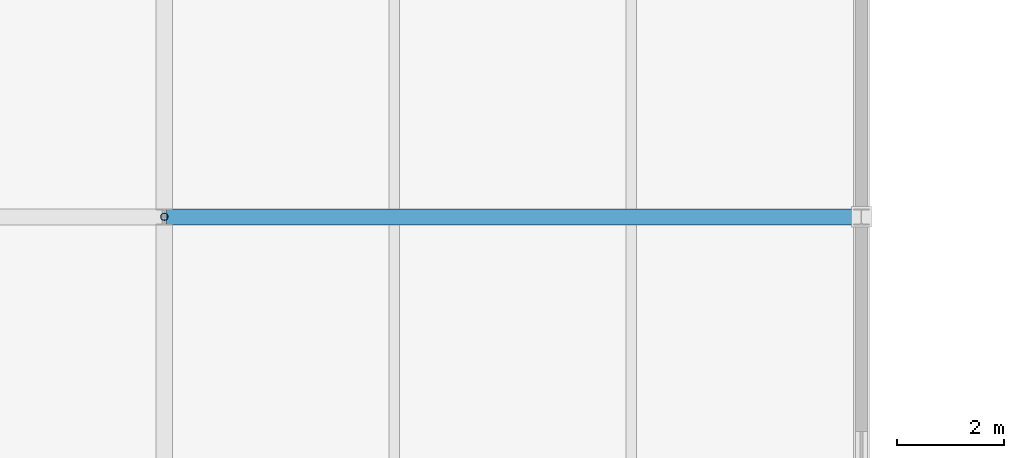
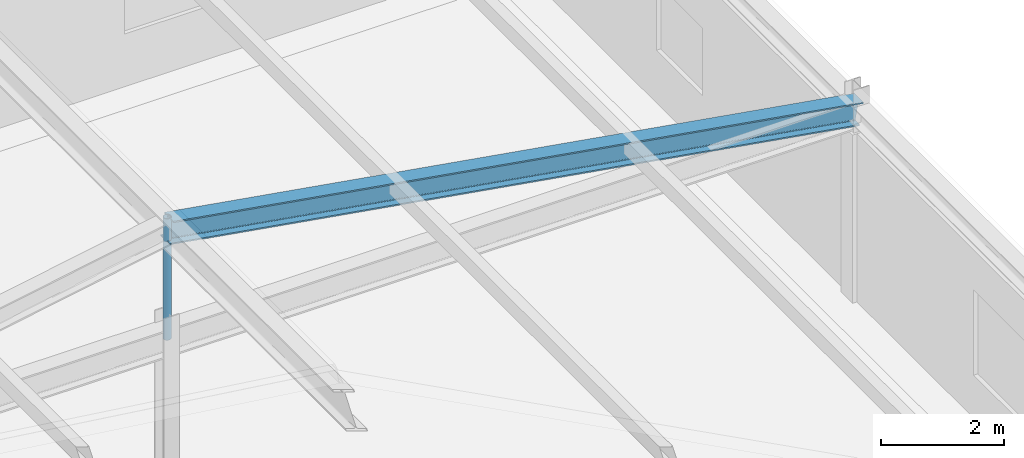
# One storey, part 23 of 63: 2 members.
"""IFC4 building model written with IfcOpenShell, lengths in metres."""

from ifc_helpers import new_model, si_unit, direction, frame, origin, origin_2d, place, context, subcontext, project, spatial, hollow_circle, i_section, extrude, material, material_profile, profile_set, type_object, element, save


model = new_model("IFC4")

# Units and contexts
model_context = context("Model", 3, precision=1e-05, world=origin(), true_north=direction((0.0, 1.0)))
body_context = subcontext(model_context, "Body", "Model", "MODEL_VIEW")
ifc_project = project(units=[si_unit("LENGTHUNIT", "METRE"), si_unit("AREAUNIT", "SQUARE_METRE"), si_unit("VOLUMEUNIT", "CUBIC_METRE"), si_unit("PLANEANGLEUNIT", "RADIAN"), si_unit("MASSUNIT", "GRAM", prefix="KILO")], contexts=[model_context])

# Site, building, storey
site_placement = place(None, origin())
site = spatial("IfcSite", under=ifc_project, at=site_placement, CompositionType="ELEMENT")
building_placement = place(site_placement, origin())
building = spatial("IfcBuilding", under=site, at=building_placement, Name="Tarnveldt Headland Concert Hall", CompositionType="ELEMENT")
storey_placement = place(building_placement, frame((0.0, 0.0, 14.39990234375)))
storey = spatial("IfcBuildingStorey", under=building, at=storey_placement, Name="L03", CompositionType="ELEMENT", Elevation=14.39990234375)

# Members
ifc_material = material(Name="Steel S355", Category="steel")
ifc_material_profile_1 = material_profile(ifc_material, i_section(OverallWidth=0.300048828125, OverallDepth=0.449951171875, WebThickness=0.013916015625, FlangeThickness=0.02587890625, FilletRadius=0.027099609375, at=origin_2d()), Name="HEB450", Category="steel")
ifc_profile_set_1 = profile_set([ifc_material_profile_1], Name="Steel S355")
member_type_1 = type_object("IfcMemberType", Name="RF-HEB450", PredefinedType="RAFTER", material=ifc_profile_set_1)
member_1_placement = place(storey_placement, frame((31.5, 104.0, 5.860107421875), z_axis=(0.986230248863, 0.0, -0.165378040341), x_axis=(0.0, 1.0, 0.0)))
element("IfcMember", 1, at=member_1_placement, inside=storey, type_object=member_type_1, Name="ROOF TRUSS Rehearsal rafter N-2E", PredefinedType="RAFTER", context=body_context, shape_type="SweptSolid", body=[
    extrude(i_section(OverallWidth=0.300048828125, OverallDepth=0.449951171875, WebThickness=0.013916015625, FlangeThickness=0.02587890625, FilletRadius=0.027099609375, at=origin_2d()), origin(), (0.0, 0.0, 1.0), 13.181396484375),
])
ifc_material_profile_2 = material_profile(ifc_material, hollow_circle(Radius=0.06982421875, WallThickness=0.010009765625, at=origin_2d()), Name="CHS 139.7x10", Category="steel")
ifc_profile_set_2 = profile_set([ifc_material_profile_2], Name="Steel S355")
member_type_2 = type_object("IfcMemberType", Name="TR-WEB140", PredefinedType="BRACE", material=ifc_profile_set_2)
member_2_placement = place(storey_placement, frame((31.5, 104.0, 3.68017578125), z_axis=(0.0, 0.0, 1.0), x_axis=(1.0, 0.0, 0.0)))
element("IfcMember", 2, at=member_2_placement, inside=storey, type_object=member_type_2, Name="KP-02 Roof truss kingpost strut N-2", PredefinedType="BRACE", context=body_context, shape_type="SweptSolid", body=[
    extrude(hollow_circle(Radius=0.06982421875, WallThickness=0.010009765625, at=origin_2d()), origin(), (0.0, 0.0, 1.0), 2.419921875),
])

save(model, "model.ifc")
